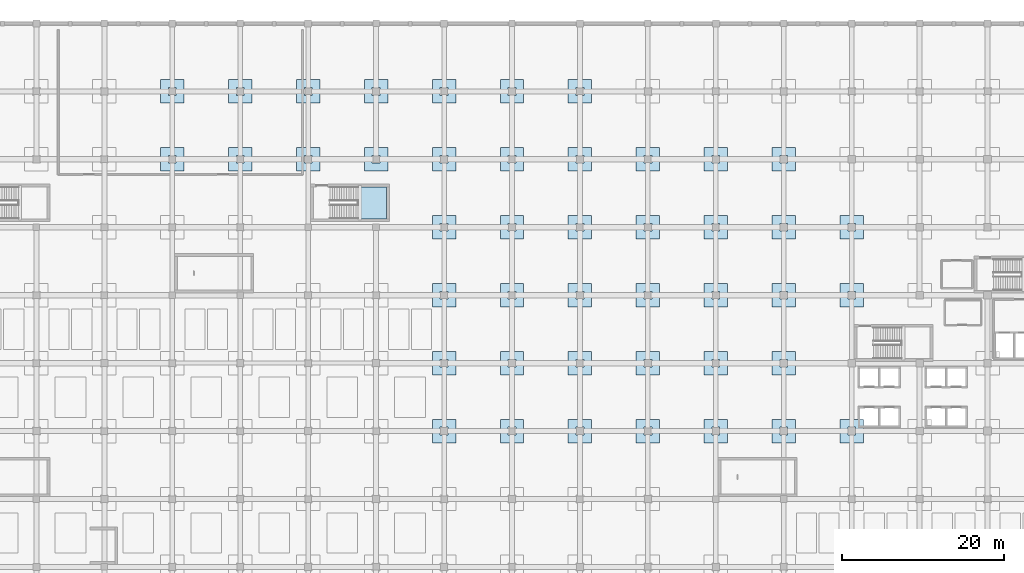
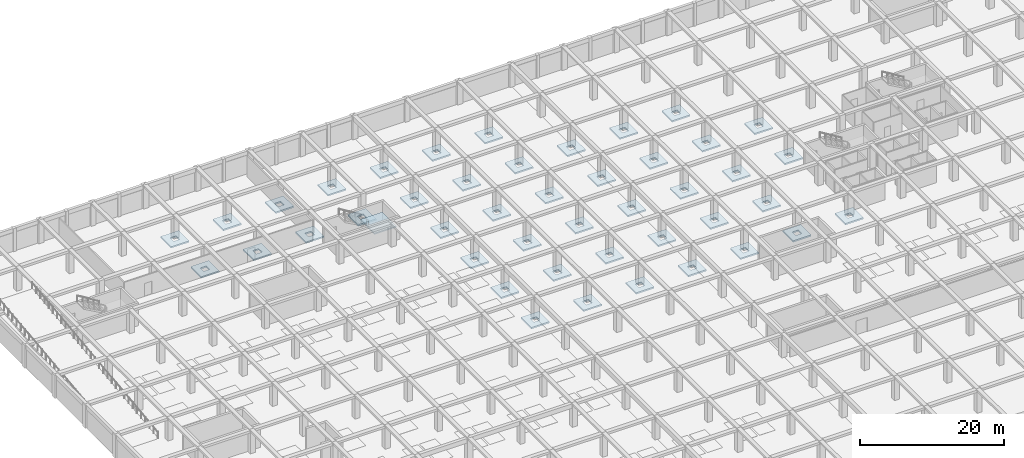
# One storey, part 12 of 32: 45 slabs, 1 element without a shape of its own.
"""IFC4 building model written with IfcOpenShell, lengths in metres."""

import ifcopenshell
import ifcopenshell.guid

model = None  # the IFC model being written
_history = None  # IfcOwnerHistory: only IFC2X3 demands one
_inside = {}  # id of a spatial element -> (the spatial element, [elements in it])
_under = {}  # id of a project, library or spatial element -> (it, [spatial elements below it])
_declared = {}  # id of a project -> (the project, [libraries it declares])
_typed = {}  # id of a type object -> (the type object, [elements of that type])
_made_of = {}  # id of a material, layer set ... -> (it, [elements and type objects made of it])


def new_model(schema):
    """Start an empty IFC model of exactly this schema.

    Asked for "IFC4X3", IfcOpenShell would pick the latest addendum, in which some entities
    have other attributes; the version numbers below select the first issue.
    IFC2X3 requires an IfcOwnerHistory on every rooted entity: one is made here for all.
    """
    global model, _history
    if schema == "IFC4X3":
        model = ifcopenshell.file(schema_version=(4, 3, 0, 0))
    else:
        model = ifcopenshell.file(schema=schema)
    _inside.clear()
    _under.clear()
    _declared.clear()
    _typed.clear()
    _made_of.clear()
    _history = None
    if model.schema == "IFC2X3":
        org = make("IfcOrganization", Name="unknown")
        user = make(
            "IfcPersonAndOrganization",
            ThePerson=make("IfcPerson", FamilyName="unknown"),
            TheOrganization=org,
        )
        app = make(
            "IfcApplication",
            ApplicationDeveloper=org,
            Version="unknown",
            ApplicationFullName="unknown",
            ApplicationIdentifier="unknown",
        )
        _history = make(
            "IfcOwnerHistory",
            OwningUser=user,
            OwningApplication=app,
            ChangeAction="ADDED",
            CreationDate=0,
        )
    return model


def make(cls, **values):
    """One entity of the class cls with the attributes given. An attribute that is None is left unset."""
    return model.create_entity(
        cls, **{name: value for name, value in values.items() if value is not None}
    )


def rooted(cls, **values):
    """An entity with a GlobalId (a new one), such as an element, a storey or a relation."""
    return make(cls, GlobalId=ifcopenshell.guid.new(), OwnerHistory=_history, **values)


def si_unit(unit_type, name, prefix=None):
    """IfcSIUnit, for example si_unit("LENGTHUNIT", "METRE", prefix="MILLI")."""
    return make("IfcSIUnit", UnitType=unit_type, Prefix=prefix, Name=name)


def assignment(units):
    """IfcUnitAssignment: the units of a project."""
    return None if units is None else make("IfcUnitAssignment", Units=units)


def point(xyz):
    """IfcCartesianPoint."""
    return None if xyz is None else make("IfcCartesianPoint", Coordinates=xyz)


def direction(xyz):
    """IfcDirection."""
    return None if xyz is None else make("IfcDirection", DirectionRatios=xyz)


def frame(location, z_axis=None, x_axis=None):
    """IfcAxis2Placement3D, a coordinate frame: its origin and axes. An axis left out is left unset."""
    return make(
        "IfcAxis2Placement3D",
        Location=point(location),
        Axis=direction(z_axis),
        RefDirection=direction(x_axis),
    )


def origin():
    """The frame at (0, 0, 0) with its axes left unset."""
    return frame((0.0, 0.0, 0.0))


def place(relative_to, where):
    """IfcLocalPlacement: puts the frame where relative to a parent placement (None: the world)."""
    return make(
        "IfcLocalPlacement", PlacementRelTo=relative_to, RelativePlacement=where
    )


def context(
    kind, dimensions, precision=None, world=None, true_north=None, identifier=None
):
    """IfcGeometricRepresentationContext, for example the 3D "Model" context."""
    return make(
        "IfcGeometricRepresentationContext",
        ContextIdentifier=identifier,
        ContextType=kind,
        CoordinateSpaceDimension=dimensions,
        Precision=precision,
        WorldCoordinateSystem=world,
        TrueNorth=true_north,
    )


def subcontext(parent, identifier, kind, view, scale=None):
    """IfcGeometricRepresentationSubContext, for example "Body" below "Model"."""
    return make(
        "IfcGeometricRepresentationSubContext",
        ContextIdentifier=identifier,
        ContextType=kind,
        ParentContext=parent,
        TargetScale=scale,
        TargetView=view,
    )


def project(units=None, contexts=None):
    """IfcProject with its units and contexts."""
    return rooted(
        "IfcProject",
        Name="project",
        RepresentationContexts=contexts,
        UnitsInContext=assignment(units),
    )


def spatial(cls, under=None, at=None, **own):
    """A site, building, storey or space (cls), placed at a placement, below another one or the project."""
    s = rooted(cls, ObjectPlacement=at, **own)
    if under is not None:
        _under.setdefault(under.id(), (under, []))[1].append(s)
    return s


def polyline(points):
    """IfcPolyline through the points."""
    return make("IfcPolyline", Points=[point(p) for p in points])


def outline(outer, holes=None, kind="AREA"):
    """IfcArbitraryClosedProfileDef: a profile drawn as a closed curve; with holes, ...WithVoids."""
    if holes is None:
        return make("IfcArbitraryClosedProfileDef", ProfileType=kind, OuterCurve=outer)
    return make(
        "IfcArbitraryProfileDefWithVoids",
        ProfileType=kind,
        OuterCurve=outer,
        InnerCurves=holes,
    )


def extrude(swept, where, along, depth):
    """IfcExtrudedAreaSolid: the profile swept, set in the frame where, extruded along a direction by depth."""
    return make(
        "IfcExtrudedAreaSolid",
        SweptArea=swept,
        Position=where,
        ExtrudedDirection=direction(along),
        Depth=depth,
    )


def shape(context_of_items, identifier, shape_type, items):
    """IfcShapeRepresentation: the items that make up one representation, for example the "Body"."""
    return make(
        "IfcShapeRepresentation",
        ContextOfItems=context_of_items,
        RepresentationIdentifier=identifier,
        RepresentationType=shape_type,
        Items=items,
    )


def material(Name=None, Category=None):
    """IfcMaterial."""
    return make("IfcMaterial", Name=Name, Category=Category)


def layer(
    of_material, thickness, ventilated=None, Name=None, Category=None, Priority=None
):
    """IfcMaterialLayer: one layer of a wall or slab, of a material (None: an air gap)."""
    return make(
        "IfcMaterialLayer",
        Material=of_material,
        LayerThickness=thickness,
        IsVentilated=ventilated,
        Name=Name,
        Category=Category,
        Priority=Priority,
    )


def layer_set(layers, Name=None):
    """IfcMaterialLayerSet."""
    return make("IfcMaterialLayerSet", MaterialLayers=layers, LayerSetName=Name)


def made_of(thing, what):
    """Note that an element or type object is made of a material, layer set ...; save() writes the relation."""
    if what is not None:
        _made_of.setdefault(what.id(), (what, []))[1].append(thing)
    return thing


def type_object(cls, material=None, **own):
    """A type object (cls), such as IfcWallType, which elements share."""
    return made_of(rooted(cls, **own), material)


def element(
    cls,
    number,
    at=None,
    inside=None,
    cuts=None,
    type_object=None,
    material=None,
    context=None,
    identifier="Body",
    shape_type=None,
    held_by="IfcProductDefinitionShape",
    body=None,
    shapes=None,
    **own,
):
    """One element of the class cls, such as IfcWall. Its Tag is "e" and its number.

    at: its placement. inside: the storey or other place that contains it. cuts: it is an
    opening in that element (IfcRelVoidsElement). A single representation is given by context,
    identifier, shape_type and body (its items); several are given by shapes. held_by: the class
    of the entity that holds the representations. save() writes the other relations.
    """
    e = rooted(cls, Tag="e%d" % number, ObjectPlacement=at, **own)
    if body is not None:
        shapes = [shape(context, identifier, shape_type, body)]
    if shapes is not None:
        e.Representation = make(held_by, Representations=shapes)
    if inside is not None:
        _inside.setdefault(inside.id(), (inside, []))[1].append(e)
    if cuts is not None:
        rooted(
            "IfcRelVoidsElement", RelatingBuildingElement=cuts, RelatedOpeningElement=e
        )
    if type_object is not None:
        _typed.setdefault(type_object.id(), (type_object, []))[1].append(e)
    return made_of(e, material)


def aggregate(whole, parts):
    """IfcRelAggregates: a whole, such as a stair, and the parts it consists of."""
    return rooted("IfcRelAggregates", RelatingObject=whole, RelatedObjects=parts)


def save(model, path):
    """Write the relations noted so far, then the file.

    IfcRelAggregates (storeys below a building ...), IfcRelContainedInSpatialStructure (elements
    in a storey), IfcRelDefinesByType, IfcRelAssociatesMaterial and IfcRelDeclares: one each for
    every whole, place, type object, material and project.
    """
    for whole, parts in _under.values():
        aggregate(whole, parts)
    for where, things in _inside.values():
        rooted(
            "IfcRelContainedInSpatialStructure",
            RelatedElements=things,
            RelatingStructure=where,
        )
    for kind, things in _typed.values():
        rooted("IfcRelDefinesByType", RelatedObjects=things, RelatingType=kind)
    for what, things in _made_of.values():
        rooted("IfcRelAssociatesMaterial", RelatedObjects=things, RelatingMaterial=what)
    for by, libraries in _declared.values():
        rooted("IfcRelDeclares", RelatingContext=by, RelatedDefinitions=libraries)
    model.write(path)


model = new_model("IFC4")

# Units and contexts
model_context = context("Model", 3, precision=1e-05, world=origin(), true_north=direction((0.0, 1.0)))
body_context = subcontext(model_context, "Body", "Model", "MODEL_VIEW")
ifc_project = project(units=[si_unit("LENGTHUNIT", "METRE"), si_unit("AREAUNIT", "SQUARE_METRE"), si_unit("VOLUMEUNIT", "CUBIC_METRE"), si_unit("PLANEANGLEUNIT", "RADIAN"), si_unit("MASSUNIT", "GRAM", prefix="KILO")], contexts=[model_context])

# Site, building, storey
site_placement = place(None, origin())
site = spatial("IfcSite", under=ifc_project, at=site_placement, CompositionType="ELEMENT")
building_placement = place(site_placement, origin())
building = spatial("IfcBuilding", under=site, at=building_placement, Name="Almacenes y Pasaje Nevantli", CompositionType="ELEMENT")
storey_placement = place(building_placement, frame((0.0, 0.0, -4.199951171875)))
storey = spatial("IfcBuildingStorey", under=building, at=storey_placement, Name="B01", CompositionType="ELEMENT", Elevation=-4.199951171875)

# Slabs
ifc_material_1 = material(Name="Concrete C35/45", Category="concrete")
ifc_layer_1 = layer(ifc_material_1, 0.25)
ifc_layer_set_1 = layer_set([ifc_layer_1], Name="Concrete C35/45")
slab_type_1 = type_object("IfcSlabType", Name="SLB-DP-250", PredefinedType="USERDEFINED", material=ifc_layer_set_1)
slab_1_placement = place(storey_placement, frame((0.0, 0.0, -0.550048828125)))
element("IfcSlab", 1, at=slab_1_placement, inside=storey, type_object=slab_type_1, Name="B01 Punching-Shear Drop Panel DP-02 #31", ObjectType="DROP PANEL", PredefinedType="USERDEFINED", context=body_context, shape_type="SweptSolid", body=[
    extrude(outline(polyline([(32.14990234375, 99.35009765625), (35.050048828125, 99.35009765625), (35.050048828125, 102.25), (32.14990234375, 102.25), (32.14990234375, 99.35009765625)]), holes=[polyline([(33.1201171875, 100.320068359375), (34.080078125, 100.320068359375), (34.080078125, 101.280029296875), (33.1201171875, 101.280029296875), (33.1201171875, 100.320068359375)])]), origin(), (0.0, 0.0, 1.0), 0.25),
])
slab_2_placement = place(storey_placement, frame((0.0, 0.0, -0.550048828125)))
element("IfcSlab", 2, at=slab_2_placement, inside=storey, type_object=slab_type_1, Name="B01 Punching-Shear Drop Panel DP-02 #32", ObjectType="DROP PANEL", PredefinedType="USERDEFINED", context=body_context, shape_type="SweptSolid", body=[
    extrude(outline(polyline([(32.14990234375, 107.75), (35.050048828125, 107.75), (35.050048828125, 110.64990234375), (32.14990234375, 110.64990234375), (32.14990234375, 107.75)]), holes=[polyline([(33.1201171875, 108.719970703125), (34.080078125, 108.719970703125), (34.080078125, 109.679931640625), (33.1201171875, 109.679931640625), (33.1201171875, 108.719970703125)])]), origin(), (0.0, 0.0, 1.0), 0.25),
])
slab_3_placement = place(storey_placement, frame((0.0, 0.0, -0.550048828125)))
element("IfcSlab", 3, at=slab_3_placement, inside=storey, type_object=slab_type_1, Name="B01 Punching-Shear Drop Panel DP-02 #42", ObjectType="DROP PANEL", PredefinedType="USERDEFINED", context=body_context, shape_type="SweptSolid", body=[
    extrude(outline(polyline([(40.550048828125, 99.35009765625), (43.449951171875, 99.35009765625), (43.449951171875, 102.25), (40.550048828125, 102.25), (40.550048828125, 99.35009765625)]), holes=[polyline([(41.52001953125, 100.320068359375), (42.47998046875, 100.320068359375), (42.47998046875, 101.280029296875), (41.52001953125, 101.280029296875), (41.52001953125, 100.320068359375)])]), origin(), (0.0, 0.0, 1.0), 0.25),
])
slab_4_placement = place(storey_placement, frame((0.0, 0.0, -0.550048828125)))
element("IfcSlab", 4, at=slab_4_placement, inside=storey, type_object=slab_type_1, Name="B01 Punching-Shear Drop Panel DP-02 #43", ObjectType="DROP PANEL", PredefinedType="USERDEFINED", context=body_context, shape_type="SweptSolid", body=[
    extrude(outline(polyline([(40.550048828125, 107.75), (43.449951171875, 107.75), (43.449951171875, 110.64990234375), (40.550048828125, 110.64990234375), (40.550048828125, 107.75)]), holes=[polyline([(41.52001953125, 108.719970703125), (42.47998046875, 108.719970703125), (42.47998046875, 109.679931640625), (41.52001953125, 109.679931640625), (41.52001953125, 108.719970703125)])]), origin(), (0.0, 0.0, 1.0), 0.25),
])
slab_5_placement = place(storey_placement, frame((0.0, 0.0, -0.550048828125)))
element("IfcSlab", 5, at=slab_5_placement, inside=storey, type_object=slab_type_1, Name="B01 Punching-Shear Drop Panel DP-02 #53", ObjectType="DROP PANEL", PredefinedType="USERDEFINED", context=body_context, shape_type="SweptSolid", body=[
    extrude(outline(polyline([(48.949951171875, 99.35009765625), (51.85009765625, 99.35009765625), (51.85009765625, 102.25), (48.949951171875, 102.25), (48.949951171875, 99.35009765625)]), holes=[polyline([(49.919921875, 100.320068359375), (50.8798828125, 100.320068359375), (50.8798828125, 101.280029296875), (49.919921875, 101.280029296875), (49.919921875, 100.320068359375)])]), origin(), (0.0, 0.0, 1.0), 0.25),
])
slab_6_placement = place(storey_placement, frame((0.0, 0.0, -0.550048828125)))
element("IfcSlab", 6, at=slab_6_placement, inside=storey, type_object=slab_type_1, Name="B01 Punching-Shear Drop Panel DP-02 #54", ObjectType="DROP PANEL", PredefinedType="USERDEFINED", context=body_context, shape_type="SweptSolid", body=[
    extrude(outline(polyline([(48.949951171875, 107.75), (51.85009765625, 107.75), (51.85009765625, 110.64990234375), (48.949951171875, 110.64990234375), (48.949951171875, 107.75)]), holes=[polyline([(49.919921875, 108.719970703125), (50.8798828125, 108.719970703125), (50.8798828125, 109.679931640625), (49.919921875, 109.679931640625), (49.919921875, 108.719970703125)])]), origin(), (0.0, 0.0, 1.0), 0.25),
])
slab_7_placement = place(storey_placement, frame((0.0, 0.0, -0.550048828125)))
element("IfcSlab", 7, at=slab_7_placement, inside=storey, type_object=slab_type_1, Name="B01 Punching-Shear Drop Panel DP-02 #65", ObjectType="DROP PANEL", PredefinedType="USERDEFINED", context=body_context, shape_type="SweptSolid", body=[
    extrude(outline(polyline([(57.35009765625, 99.35009765625), (60.25, 99.35009765625), (60.25, 102.25), (57.35009765625, 102.25), (57.35009765625, 99.35009765625)]), holes=[polyline([(58.320068359375, 100.320068359375), (59.280029296875, 100.320068359375), (59.280029296875, 101.280029296875), (58.320068359375, 101.280029296875), (58.320068359375, 100.320068359375)])]), origin(), (0.0, 0.0, 1.0), 0.25),
])
slab_8_placement = place(storey_placement, frame((0.0, 0.0, -0.550048828125)))
element("IfcSlab", 8, at=slab_8_placement, inside=storey, type_object=slab_type_1, Name="B01 Punching-Shear Drop Panel DP-02 #66", ObjectType="DROP PANEL", PredefinedType="USERDEFINED", context=body_context, shape_type="SweptSolid", body=[
    extrude(outline(polyline([(57.35009765625, 107.75), (60.25, 107.75), (60.25, 110.64990234375), (57.35009765625, 110.64990234375), (57.35009765625, 107.75)]), holes=[polyline([(58.320068359375, 108.719970703125), (59.280029296875, 108.719970703125), (59.280029296875, 109.679931640625), (58.320068359375, 109.679931640625), (58.320068359375, 108.719970703125)])]), origin(), (0.0, 0.0, 1.0), 0.25),
])
slab_9_placement = place(storey_placement, frame((0.0, 0.0, -0.550048828125)))
element("IfcSlab", 9, at=slab_9_placement, inside=storey, type_object=slab_type_1, Name="B01 Punching-Shear Drop Panel DP-02 #74", ObjectType="DROP PANEL", PredefinedType="USERDEFINED", context=body_context, shape_type="SweptSolid", body=[
    extrude(outline(polyline([(65.75, 65.75), (68.64990234375, 65.75), (68.64990234375, 68.64990234375), (65.75, 68.64990234375), (65.75, 65.75)]), holes=[polyline([(66.719970703125, 66.719970703125), (67.679931640625, 66.719970703125), (67.679931640625, 67.679931640625), (66.719970703125, 67.679931640625), (66.719970703125, 66.719970703125)])]), origin(), (0.0, 0.0, 1.0), 0.25),
])
slab_10_placement = place(storey_placement, frame((0.0, 0.0, -0.550048828125)))
element("IfcSlab", 10, at=slab_10_placement, inside=storey, type_object=slab_type_1, Name="B01 Punching-Shear Drop Panel DP-02 #75", ObjectType="DROP PANEL", PredefinedType="USERDEFINED", context=body_context, shape_type="SweptSolid", body=[
    extrude(outline(polyline([(65.75, 74.14990234375), (68.64990234375, 74.14990234375), (68.64990234375, 77.050048828125), (65.75, 77.050048828125), (65.75, 74.14990234375)]), holes=[polyline([(66.719970703125, 75.1201171875), (67.679931640625, 75.1201171875), (67.679931640625, 76.080078125), (66.719970703125, 76.080078125), (66.719970703125, 75.1201171875)])]), origin(), (0.0, 0.0, 1.0), 0.25),
])
slab_11_placement = place(storey_placement, frame((0.0, 0.0, -0.550048828125)))
element("IfcSlab", 11, at=slab_11_placement, inside=storey, type_object=slab_type_1, Name="B01 Punching-Shear Drop Panel DP-02 #76", ObjectType="DROP PANEL", PredefinedType="USERDEFINED", context=body_context, shape_type="SweptSolid", body=[
    extrude(outline(polyline([(65.75, 82.550048828125), (68.64990234375, 82.550048828125), (68.64990234375, 85.449951171875), (65.75, 85.449951171875), (65.75, 82.550048828125)]), holes=[polyline([(66.719970703125, 83.52001953125), (67.679931640625, 83.52001953125), (67.679931640625, 84.47998046875), (66.719970703125, 84.47998046875), (66.719970703125, 83.52001953125)])]), origin(), (0.0, 0.0, 1.0), 0.25),
])
slab_12_placement = place(storey_placement, frame((0.0, 0.0, -0.550048828125)))
element("IfcSlab", 12, at=slab_12_placement, inside=storey, type_object=slab_type_1, Name="B01 Punching-Shear Drop Panel DP-02 #77", ObjectType="DROP PANEL", PredefinedType="USERDEFINED", context=body_context, shape_type="SweptSolid", body=[
    extrude(outline(polyline([(65.75, 90.949951171875), (68.64990234375, 90.949951171875), (68.64990234375, 93.85009765625), (65.75, 93.85009765625), (65.75, 90.949951171875)]), holes=[polyline([(66.719970703125, 91.919921875), (67.679931640625, 91.919921875), (67.679931640625, 92.8798828125), (66.719970703125, 92.8798828125), (66.719970703125, 91.919921875)])]), origin(), (0.0, 0.0, 1.0), 0.25),
])
slab_13_placement = place(storey_placement, frame((0.0, 0.0, -0.550048828125)))
element("IfcSlab", 13, at=slab_13_placement, inside=storey, type_object=slab_type_1, Name="B01 Punching-Shear Drop Panel DP-02 #78", ObjectType="DROP PANEL", PredefinedType="USERDEFINED", context=body_context, shape_type="SweptSolid", body=[
    extrude(outline(polyline([(65.75, 99.35009765625), (68.64990234375, 99.35009765625), (68.64990234375, 102.25), (65.75, 102.25), (65.75, 99.35009765625)]), holes=[polyline([(66.719970703125, 100.320068359375), (67.679931640625, 100.320068359375), (67.679931640625, 101.280029296875), (66.719970703125, 101.280029296875), (66.719970703125, 100.320068359375)])]), origin(), (0.0, 0.0, 1.0), 0.25),
])
slab_14_placement = place(storey_placement, frame((0.0, 0.0, -0.550048828125)))
element("IfcSlab", 14, at=slab_14_placement, inside=storey, type_object=slab_type_1, Name="B01 Punching-Shear Drop Panel DP-02 #79", ObjectType="DROP PANEL", PredefinedType="USERDEFINED", context=body_context, shape_type="SweptSolid", body=[
    extrude(outline(polyline([(65.75, 107.75), (68.64990234375, 107.75), (68.64990234375, 110.64990234375), (65.75, 110.64990234375), (65.75, 107.75)]), holes=[polyline([(66.719970703125, 108.719970703125), (67.679931640625, 108.719970703125), (67.679931640625, 109.679931640625), (66.719970703125, 109.679931640625), (66.719970703125, 108.719970703125)])]), origin(), (0.0, 0.0, 1.0), 0.25),
])
slab_15_placement = place(storey_placement, frame((0.0, 0.0, -0.550048828125)))
element("IfcSlab", 15, at=slab_15_placement, inside=storey, type_object=slab_type_1, Name="B01 Punching-Shear Drop Panel DP-02 #87", ObjectType="DROP PANEL", PredefinedType="USERDEFINED", context=body_context, shape_type="SweptSolid", body=[
    extrude(outline(polyline([(74.14990234375, 65.75), (77.050048828125, 65.75), (77.050048828125, 68.64990234375), (74.14990234375, 68.64990234375), (74.14990234375, 65.75)]), holes=[polyline([(75.1201171875, 66.719970703125), (76.080078125, 66.719970703125), (76.080078125, 67.679931640625), (75.1201171875, 67.679931640625), (75.1201171875, 66.719970703125)])]), origin(), (0.0, 0.0, 1.0), 0.25),
])
slab_16_placement = place(storey_placement, frame((0.0, 0.0, -0.550048828125)))
element("IfcSlab", 16, at=slab_16_placement, inside=storey, type_object=slab_type_1, Name="B01 Punching-Shear Drop Panel DP-02 #88", ObjectType="DROP PANEL", PredefinedType="USERDEFINED", context=body_context, shape_type="SweptSolid", body=[
    extrude(outline(polyline([(74.14990234375, 74.14990234375), (77.050048828125, 74.14990234375), (77.050048828125, 77.050048828125), (74.14990234375, 77.050048828125), (74.14990234375, 74.14990234375)]), holes=[polyline([(75.1201171875, 75.1201171875), (76.080078125, 75.1201171875), (76.080078125, 76.080078125), (75.1201171875, 76.080078125), (75.1201171875, 75.1201171875)])]), origin(), (0.0, 0.0, 1.0), 0.25),
])
slab_17_placement = place(storey_placement, frame((0.0, 0.0, -0.550048828125)))
element("IfcSlab", 17, at=slab_17_placement, inside=storey, type_object=slab_type_1, Name="B01 Punching-Shear Drop Panel DP-02 #89", ObjectType="DROP PANEL", PredefinedType="USERDEFINED", context=body_context, shape_type="SweptSolid", body=[
    extrude(outline(polyline([(74.14990234375, 82.550048828125), (77.050048828125, 82.550048828125), (77.050048828125, 85.449951171875), (74.14990234375, 85.449951171875), (74.14990234375, 82.550048828125)]), holes=[polyline([(75.1201171875, 83.52001953125), (76.080078125, 83.52001953125), (76.080078125, 84.47998046875), (75.1201171875, 84.47998046875), (75.1201171875, 83.52001953125)])]), origin(), (0.0, 0.0, 1.0), 0.25),
])
slab_18_placement = place(storey_placement, frame((0.0, 0.0, -0.550048828125)))
element("IfcSlab", 18, at=slab_18_placement, inside=storey, type_object=slab_type_1, Name="B01 Punching-Shear Drop Panel DP-02 #90", ObjectType="DROP PANEL", PredefinedType="USERDEFINED", context=body_context, shape_type="SweptSolid", body=[
    extrude(outline(polyline([(74.14990234375, 90.949951171875), (77.050048828125, 90.949951171875), (77.050048828125, 93.85009765625), (74.14990234375, 93.85009765625), (74.14990234375, 90.949951171875)]), holes=[polyline([(75.1201171875, 91.919921875), (76.080078125, 91.919921875), (76.080078125, 92.8798828125), (75.1201171875, 92.8798828125), (75.1201171875, 91.919921875)])]), origin(), (0.0, 0.0, 1.0), 0.25),
])
slab_19_placement = place(storey_placement, frame((0.0, 0.0, -0.550048828125)))
element("IfcSlab", 19, at=slab_19_placement, inside=storey, type_object=slab_type_1, Name="B01 Punching-Shear Drop Panel DP-02 #91", ObjectType="DROP PANEL", PredefinedType="USERDEFINED", context=body_context, shape_type="SweptSolid", body=[
    extrude(outline(polyline([(74.14990234375, 99.35009765625), (77.050048828125, 99.35009765625), (77.050048828125, 102.25), (74.14990234375, 102.25), (74.14990234375, 99.35009765625)]), holes=[polyline([(75.1201171875, 100.320068359375), (76.080078125, 100.320068359375), (76.080078125, 101.280029296875), (75.1201171875, 101.280029296875), (75.1201171875, 100.320068359375)])]), origin(), (0.0, 0.0, 1.0), 0.25),
])
slab_20_placement = place(storey_placement, frame((0.0, 0.0, -0.550048828125)))
element("IfcSlab", 20, at=slab_20_placement, inside=storey, type_object=slab_type_1, Name="B01 Punching-Shear Drop Panel DP-02 #92", ObjectType="DROP PANEL", PredefinedType="USERDEFINED", context=body_context, shape_type="SweptSolid", body=[
    extrude(outline(polyline([(74.14990234375, 107.75), (77.050048828125, 107.75), (77.050048828125, 110.64990234375), (74.14990234375, 110.64990234375), (74.14990234375, 107.75)]), holes=[polyline([(75.1201171875, 108.719970703125), (76.080078125, 108.719970703125), (76.080078125, 109.679931640625), (75.1201171875, 109.679931640625), (75.1201171875, 108.719970703125)])]), origin(), (0.0, 0.0, 1.0), 0.25),
])
slab_21_placement = place(storey_placement, frame((0.0, 0.0, -0.550048828125)))
element("IfcSlab", 21, at=slab_21_placement, inside=storey, type_object=slab_type_1, Name="B01 Punching-Shear Drop Panel DP-02 #100", ObjectType="DROP PANEL", PredefinedType="USERDEFINED", context=body_context, shape_type="SweptSolid", body=[
    extrude(outline(polyline([(82.550048828125, 65.75), (85.449951171875, 65.75), (85.449951171875, 68.64990234375), (82.550048828125, 68.64990234375), (82.550048828125, 65.75)]), holes=[polyline([(83.52001953125, 66.719970703125), (84.47998046875, 66.719970703125), (84.47998046875, 67.679931640625), (83.52001953125, 67.679931640625), (83.52001953125, 66.719970703125)])]), origin(), (0.0, 0.0, 1.0), 0.25),
])
slab_22_placement = place(storey_placement, frame((0.0, 0.0, -0.550048828125)))
element("IfcSlab", 22, at=slab_22_placement, inside=storey, type_object=slab_type_1, Name="B01 Punching-Shear Drop Panel DP-02 #101", ObjectType="DROP PANEL", PredefinedType="USERDEFINED", context=body_context, shape_type="SweptSolid", body=[
    extrude(outline(polyline([(82.550048828125, 74.14990234375), (85.449951171875, 74.14990234375), (85.449951171875, 77.050048828125), (82.550048828125, 77.050048828125), (82.550048828125, 74.14990234375)]), holes=[polyline([(83.52001953125, 75.1201171875), (84.47998046875, 75.1201171875), (84.47998046875, 76.080078125), (83.52001953125, 76.080078125), (83.52001953125, 75.1201171875)])]), origin(), (0.0, 0.0, 1.0), 0.25),
])
slab_23_placement = place(storey_placement, frame((0.0, 0.0, -0.550048828125)))
element("IfcSlab", 23, at=slab_23_placement, inside=storey, type_object=slab_type_1, Name="B01 Punching-Shear Drop Panel DP-02 #102", ObjectType="DROP PANEL", PredefinedType="USERDEFINED", context=body_context, shape_type="SweptSolid", body=[
    extrude(outline(polyline([(82.550048828125, 82.550048828125), (85.449951171875, 82.550048828125), (85.449951171875, 85.449951171875), (82.550048828125, 85.449951171875), (82.550048828125, 82.550048828125)]), holes=[polyline([(83.52001953125, 83.52001953125), (84.47998046875, 83.52001953125), (84.47998046875, 84.47998046875), (83.52001953125, 84.47998046875), (83.52001953125, 83.52001953125)])]), origin(), (0.0, 0.0, 1.0), 0.25),
])
slab_24_placement = place(storey_placement, frame((0.0, 0.0, -0.550048828125)))
element("IfcSlab", 24, at=slab_24_placement, inside=storey, type_object=slab_type_1, Name="B01 Punching-Shear Drop Panel DP-02 #103", ObjectType="DROP PANEL", PredefinedType="USERDEFINED", context=body_context, shape_type="SweptSolid", body=[
    extrude(outline(polyline([(82.550048828125, 90.949951171875), (85.449951171875, 90.949951171875), (85.449951171875, 93.85009765625), (82.550048828125, 93.85009765625), (82.550048828125, 90.949951171875)]), holes=[polyline([(83.52001953125, 91.919921875), (84.47998046875, 91.919921875), (84.47998046875, 92.8798828125), (83.52001953125, 92.8798828125), (83.52001953125, 91.919921875)])]), origin(), (0.0, 0.0, 1.0), 0.25),
])
slab_25_placement = place(storey_placement, frame((0.0, 0.0, -0.550048828125)))
element("IfcSlab", 25, at=slab_25_placement, inside=storey, type_object=slab_type_1, Name="B01 Punching-Shear Drop Panel DP-02 #104", ObjectType="DROP PANEL", PredefinedType="USERDEFINED", context=body_context, shape_type="SweptSolid", body=[
    extrude(outline(polyline([(82.550048828125, 99.35009765625), (85.449951171875, 99.35009765625), (85.449951171875, 102.25), (82.550048828125, 102.25), (82.550048828125, 99.35009765625)]), holes=[polyline([(83.52001953125, 100.320068359375), (84.47998046875, 100.320068359375), (84.47998046875, 101.280029296875), (83.52001953125, 101.280029296875), (83.52001953125, 100.320068359375)])]), origin(), (0.0, 0.0, 1.0), 0.25),
])
slab_26_placement = place(storey_placement, frame((0.0, 0.0, -0.550048828125)))
element("IfcSlab", 26, at=slab_26_placement, inside=storey, type_object=slab_type_1, Name="B01 Punching-Shear Drop Panel DP-02 #105", ObjectType="DROP PANEL", PredefinedType="USERDEFINED", context=body_context, shape_type="SweptSolid", body=[
    extrude(outline(polyline([(82.550048828125, 107.75), (85.449951171875, 107.75), (85.449951171875, 110.64990234375), (82.550048828125, 110.64990234375), (82.550048828125, 107.75)]), holes=[polyline([(83.52001953125, 108.719970703125), (84.47998046875, 108.719970703125), (84.47998046875, 109.679931640625), (83.52001953125, 109.679931640625), (83.52001953125, 108.719970703125)])]), origin(), (0.0, 0.0, 1.0), 0.25),
])
slab_27_placement = place(storey_placement, frame((0.0, 0.0, -0.550048828125)))
element("IfcSlab", 27, at=slab_27_placement, inside=storey, type_object=slab_type_1, Name="B01 Punching-Shear Drop Panel DP-02 #112", ObjectType="DROP PANEL", PredefinedType="USERDEFINED", context=body_context, shape_type="SweptSolid", body=[
    extrude(outline(polyline([(90.949951171875, 65.75), (93.85009765625, 65.75), (93.85009765625, 68.64990234375), (90.949951171875, 68.64990234375), (90.949951171875, 65.75)]), holes=[polyline([(91.919921875, 66.719970703125), (92.8798828125, 66.719970703125), (92.8798828125, 67.679931640625), (91.919921875, 67.679931640625), (91.919921875, 66.719970703125)])]), origin(), (0.0, 0.0, 1.0), 0.25),
])
slab_28_placement = place(storey_placement, frame((0.0, 0.0, -0.550048828125)))
element("IfcSlab", 28, at=slab_28_placement, inside=storey, type_object=slab_type_1, Name="B01 Punching-Shear Drop Panel DP-02 #113", ObjectType="DROP PANEL", PredefinedType="USERDEFINED", context=body_context, shape_type="SweptSolid", body=[
    extrude(outline(polyline([(90.949951171875, 74.14990234375), (93.85009765625, 74.14990234375), (93.85009765625, 77.050048828125), (90.949951171875, 77.050048828125), (90.949951171875, 74.14990234375)]), holes=[polyline([(91.919921875, 75.1201171875), (92.8798828125, 75.1201171875), (92.8798828125, 76.080078125), (91.919921875, 76.080078125), (91.919921875, 75.1201171875)])]), origin(), (0.0, 0.0, 1.0), 0.25),
])
slab_29_placement = place(storey_placement, frame((0.0, 0.0, -0.550048828125)))
element("IfcSlab", 29, at=slab_29_placement, inside=storey, type_object=slab_type_1, Name="B01 Punching-Shear Drop Panel DP-02 #114", ObjectType="DROP PANEL", PredefinedType="USERDEFINED", context=body_context, shape_type="SweptSolid", body=[
    extrude(outline(polyline([(90.949951171875, 82.550048828125), (93.85009765625, 82.550048828125), (93.85009765625, 85.449951171875), (90.949951171875, 85.449951171875), (90.949951171875, 82.550048828125)]), holes=[polyline([(91.919921875, 83.52001953125), (92.8798828125, 83.52001953125), (92.8798828125, 84.47998046875), (91.919921875, 84.47998046875), (91.919921875, 83.52001953125)])]), origin(), (0.0, 0.0, 1.0), 0.25),
])
slab_30_placement = place(storey_placement, frame((0.0, 0.0, -0.550048828125)))
element("IfcSlab", 30, at=slab_30_placement, inside=storey, type_object=slab_type_1, Name="B01 Punching-Shear Drop Panel DP-02 #115", ObjectType="DROP PANEL", PredefinedType="USERDEFINED", context=body_context, shape_type="SweptSolid", body=[
    extrude(outline(polyline([(90.949951171875, 90.949951171875), (93.85009765625, 90.949951171875), (93.85009765625, 93.85009765625), (90.949951171875, 93.85009765625), (90.949951171875, 90.949951171875)]), holes=[polyline([(91.919921875, 91.919921875), (92.8798828125, 91.919921875), (92.8798828125, 92.8798828125), (91.919921875, 92.8798828125), (91.919921875, 91.919921875)])]), origin(), (0.0, 0.0, 1.0), 0.25),
])
slab_31_placement = place(storey_placement, frame((0.0, 0.0, -0.550048828125)))
element("IfcSlab", 31, at=slab_31_placement, inside=storey, type_object=slab_type_1, Name="B01 Punching-Shear Drop Panel DP-02 #116", ObjectType="DROP PANEL", PredefinedType="USERDEFINED", context=body_context, shape_type="SweptSolid", body=[
    extrude(outline(polyline([(90.949951171875, 99.35009765625), (93.85009765625, 99.35009765625), (93.85009765625, 102.25), (90.949951171875, 102.25), (90.949951171875, 99.35009765625)]), holes=[polyline([(91.919921875, 100.320068359375), (92.8798828125, 100.320068359375), (92.8798828125, 101.280029296875), (91.919921875, 101.280029296875), (91.919921875, 100.320068359375)])]), origin(), (0.0, 0.0, 1.0), 0.25),
])
slab_32_placement = place(storey_placement, frame((0.0, 0.0, -0.550048828125)))
element("IfcSlab", 32, at=slab_32_placement, inside=storey, type_object=slab_type_1, Name="B01 Punching-Shear Drop Panel DP-02 #123", ObjectType="DROP PANEL", PredefinedType="USERDEFINED", context=body_context, shape_type="SweptSolid", body=[
    extrude(outline(polyline([(99.35009765625, 65.75), (102.25, 65.75), (102.25, 68.64990234375), (99.35009765625, 68.64990234375), (99.35009765625, 65.75)]), holes=[polyline([(100.320068359375, 66.719970703125), (101.280029296875, 66.719970703125), (101.280029296875, 67.679931640625), (100.320068359375, 67.679931640625), (100.320068359375, 66.719970703125)])]), origin(), (0.0, 0.0, 1.0), 0.25),
])
slab_33_placement = place(storey_placement, frame((0.0, 0.0, -0.550048828125)))
element("IfcSlab", 33, at=slab_33_placement, inside=storey, type_object=slab_type_1, Name="B01 Punching-Shear Drop Panel DP-02 #124", ObjectType="DROP PANEL", PredefinedType="USERDEFINED", context=body_context, shape_type="SweptSolid", body=[
    extrude(outline(polyline([(99.35009765625, 74.14990234375), (102.25, 74.14990234375), (102.25, 77.050048828125), (99.35009765625, 77.050048828125), (99.35009765625, 74.14990234375)]), holes=[polyline([(100.320068359375, 75.1201171875), (101.280029296875, 75.1201171875), (101.280029296875, 76.080078125), (100.320068359375, 76.080078125), (100.320068359375, 75.1201171875)])]), origin(), (0.0, 0.0, 1.0), 0.25),
])
slab_34_placement = place(storey_placement, frame((0.0, 0.0, -0.550048828125)))
element("IfcSlab", 34, at=slab_34_placement, inside=storey, type_object=slab_type_1, Name="B01 Punching-Shear Drop Panel DP-02 #125", ObjectType="DROP PANEL", PredefinedType="USERDEFINED", context=body_context, shape_type="SweptSolid", body=[
    extrude(outline(polyline([(99.35009765625, 82.550048828125), (102.25, 82.550048828125), (102.25, 85.449951171875), (99.35009765625, 85.449951171875), (99.35009765625, 82.550048828125)]), holes=[polyline([(100.320068359375, 83.52001953125), (101.280029296875, 83.52001953125), (101.280029296875, 84.47998046875), (100.320068359375, 84.47998046875), (100.320068359375, 83.52001953125)])]), origin(), (0.0, 0.0, 1.0), 0.25),
])
slab_35_placement = place(storey_placement, frame((0.0, 0.0, -0.550048828125)))
element("IfcSlab", 35, at=slab_35_placement, inside=storey, type_object=slab_type_1, Name="B01 Punching-Shear Drop Panel DP-02 #126", ObjectType="DROP PANEL", PredefinedType="USERDEFINED", context=body_context, shape_type="SweptSolid", body=[
    extrude(outline(polyline([(99.35009765625, 90.949951171875), (102.25, 90.949951171875), (102.25, 93.85009765625), (99.35009765625, 93.85009765625), (99.35009765625, 90.949951171875)]), holes=[polyline([(100.320068359375, 91.919921875), (101.280029296875, 91.919921875), (101.280029296875, 92.8798828125), (100.320068359375, 92.8798828125), (100.320068359375, 91.919921875)])]), origin(), (0.0, 0.0, 1.0), 0.25),
])
slab_36_placement = place(storey_placement, frame((0.0, 0.0, -0.550048828125)))
element("IfcSlab", 36, at=slab_36_placement, inside=storey, type_object=slab_type_1, Name="B01 Punching-Shear Drop Panel DP-02 #127", ObjectType="DROP PANEL", PredefinedType="USERDEFINED", context=body_context, shape_type="SweptSolid", body=[
    extrude(outline(polyline([(99.35009765625, 99.35009765625), (102.25, 99.35009765625), (102.25, 102.25), (99.35009765625, 102.25), (99.35009765625, 99.35009765625)]), holes=[polyline([(100.320068359375, 100.320068359375), (101.280029296875, 100.320068359375), (101.280029296875, 101.280029296875), (100.320068359375, 101.280029296875), (100.320068359375, 100.320068359375)])]), origin(), (0.0, 0.0, 1.0), 0.25),
])
slab_37_placement = place(storey_placement, frame((0.0, 0.0, -0.550048828125)))
element("IfcSlab", 37, at=slab_37_placement, inside=storey, type_object=slab_type_1, Name="B01 Punching-Shear Drop Panel DP-02 #135", ObjectType="DROP PANEL", PredefinedType="USERDEFINED", context=body_context, shape_type="SweptSolid", body=[
    extrude(outline(polyline([(107.75, 65.75), (110.64990234375, 65.75), (110.64990234375, 68.64990234375), (107.75, 68.64990234375), (107.75, 65.75)]), holes=[polyline([(108.719970703125, 66.719970703125), (109.679931640625, 66.719970703125), (109.679931640625, 67.679931640625), (108.719970703125, 67.679931640625), (108.719970703125, 66.719970703125)])]), origin(), (0.0, 0.0, 1.0), 0.25),
])
slab_38_placement = place(storey_placement, frame((0.0, 0.0, -0.550048828125)))
element("IfcSlab", 38, at=slab_38_placement, inside=storey, type_object=slab_type_1, Name="B01 Punching-Shear Drop Panel DP-02 #136", ObjectType="DROP PANEL", PredefinedType="USERDEFINED", context=body_context, shape_type="SweptSolid", body=[
    extrude(outline(polyline([(107.75, 74.14990234375), (110.64990234375, 74.14990234375), (110.64990234375, 77.050048828125), (107.75, 77.050048828125), (107.75, 74.14990234375)]), holes=[polyline([(108.719970703125, 75.1201171875), (109.679931640625, 75.1201171875), (109.679931640625, 76.080078125), (108.719970703125, 76.080078125), (108.719970703125, 75.1201171875)])]), origin(), (0.0, 0.0, 1.0), 0.25),
])
slab_39_placement = place(storey_placement, frame((0.0, 0.0, -0.550048828125)))
element("IfcSlab", 39, at=slab_39_placement, inside=storey, type_object=slab_type_1, Name="B01 Punching-Shear Drop Panel DP-02 #137", ObjectType="DROP PANEL", PredefinedType="USERDEFINED", context=body_context, shape_type="SweptSolid", body=[
    extrude(outline(polyline([(107.75, 82.550048828125), (110.64990234375, 82.550048828125), (110.64990234375, 85.449951171875), (107.75, 85.449951171875), (107.75, 82.550048828125)]), holes=[polyline([(108.719970703125, 83.52001953125), (109.679931640625, 83.52001953125), (109.679931640625, 84.47998046875), (108.719970703125, 84.47998046875), (108.719970703125, 83.52001953125)])]), origin(), (0.0, 0.0, 1.0), 0.25),
])
slab_40_placement = place(storey_placement, frame((0.0, 0.0, -0.550048828125)))
element("IfcSlab", 40, at=slab_40_placement, inside=storey, type_object=slab_type_1, Name="B01 Punching-Shear Drop Panel DP-02 #138", ObjectType="DROP PANEL", PredefinedType="USERDEFINED", context=body_context, shape_type="SweptSolid", body=[
    extrude(outline(polyline([(107.75, 90.949951171875), (110.64990234375, 90.949951171875), (110.64990234375, 93.85009765625), (107.75, 93.85009765625), (107.75, 90.949951171875)]), holes=[polyline([(108.719970703125, 91.919921875), (109.679931640625, 91.919921875), (109.679931640625, 92.8798828125), (108.719970703125, 92.8798828125), (108.719970703125, 91.919921875)])]), origin(), (0.0, 0.0, 1.0), 0.25),
])
slab_41_placement = place(storey_placement, frame((0.0, 0.0, -0.550048828125)))
element("IfcSlab", 41, at=slab_41_placement, inside=storey, type_object=slab_type_1, Name="B01 Punching-Shear Drop Panel DP-02 #139", ObjectType="DROP PANEL", PredefinedType="USERDEFINED", context=body_context, shape_type="SweptSolid", body=[
    extrude(outline(polyline([(107.75, 99.35009765625), (110.64990234375, 99.35009765625), (110.64990234375, 102.25), (107.75, 102.25), (107.75, 99.35009765625)]), holes=[polyline([(108.719970703125, 100.320068359375), (109.679931640625, 100.320068359375), (109.679931640625, 101.280029296875), (108.719970703125, 101.280029296875), (108.719970703125, 100.320068359375)])]), origin(), (0.0, 0.0, 1.0), 0.25),
])
slab_42_placement = place(storey_placement, frame((0.0, 0.0, -0.550048828125)))
element("IfcSlab", 42, at=slab_42_placement, inside=storey, type_object=slab_type_1, Name="B01 Punching-Shear Drop Panel DP-02 #148", ObjectType="DROP PANEL", PredefinedType="USERDEFINED", context=body_context, shape_type="SweptSolid", body=[
    extrude(outline(polyline([(116.14990234375, 65.75), (119.050048828125, 65.75), (119.050048828125, 68.64990234375), (116.14990234375, 68.64990234375), (116.14990234375, 65.75)]), holes=[polyline([(117.1201171875, 66.719970703125), (118.080078125, 66.719970703125), (118.080078125, 67.679931640625), (117.1201171875, 67.679931640625), (117.1201171875, 66.719970703125)])]), origin(), (0.0, 0.0, 1.0), 0.25),
])
slab_43_placement = place(storey_placement, frame((0.0, 0.0, -0.550048828125)))
element("IfcSlab", 43, at=slab_43_placement, inside=storey, type_object=slab_type_1, Name="B01 Punching-Shear Drop Panel DP-02 #149", ObjectType="DROP PANEL", PredefinedType="USERDEFINED", context=body_context, shape_type="SweptSolid", body=[
    extrude(outline(polyline([(116.14990234375, 82.550048828125), (119.050048828125, 82.550048828125), (119.050048828125, 85.449951171875), (116.14990234375, 85.449951171875), (116.14990234375, 82.550048828125)]), holes=[polyline([(117.1201171875, 83.52001953125), (118.080078125, 83.52001953125), (118.080078125, 84.47998046875), (117.1201171875, 84.47998046875), (117.1201171875, 83.52001953125)])]), origin(), (0.0, 0.0, 1.0), 0.25),
])
slab_44_placement = place(storey_placement, frame((0.0, 0.0, -0.550048828125)))
element("IfcSlab", 44, at=slab_44_placement, inside=storey, type_object=slab_type_1, Name="B01 Punching-Shear Drop Panel DP-02 #150", ObjectType="DROP PANEL", PredefinedType="USERDEFINED", context=body_context, shape_type="SweptSolid", body=[
    extrude(outline(polyline([(116.14990234375, 90.949951171875), (119.050048828125, 90.949951171875), (119.050048828125, 93.85009765625), (116.14990234375, 93.85009765625), (116.14990234375, 90.949951171875)]), holes=[polyline([(117.1201171875, 91.919921875), (118.080078125, 91.919921875), (118.080078125, 92.8798828125), (117.1201171875, 92.8798828125), (117.1201171875, 91.919921875)])]), origin(), (0.0, 0.0, 1.0), 0.25),
])

# Stair, slab
ifc_material_2 = material(Name="Concrete C35/45", Category="concrete")
stair_type = type_object("IfcStairType", Name="STR-CORE-1750", PredefinedType="HALF_TURN_STAIR", material=ifc_material_2)
stair_placement = place(storey_placement, origin())
stair = element("IfcStair", 45, at=stair_placement, inside=storey, type_object=stair_type, Name="B01 Staircase ST-05", PredefinedType="HALF_TURN_STAIR")
ifc_material_3 = material(Name="Concrete C35/45", Category="concrete")
ifc_layer_2 = layer(ifc_material_3, 0.199951171875)
ifc_layer_set_2 = layer_set([ifc_layer_2], Name="Concrete C35/45")
slab_type_2 = type_object("IfcSlabType", Name="SLB-LAND-200", PredefinedType="LANDING", material=ifc_layer_set_2)
slab_45_placement = place(storey_placement, frame((0.0, 0.0, 1.89990234375)))
slab_45 = element("IfcSlab", 46, at=slab_45_placement, type_object=slab_type_2, Name="ST-05-B01 landing 1", PredefinedType="LANDING", context=body_context, shape_type="SweptSolid", body=[
    extrude(outline(polyline([(56.56494140625, 93.449951171875), (60.10009765625, 93.449951171875), (60.10009765625, 97.39990234375), (56.56494140625, 97.39990234375), (56.56494140625, 93.449951171875)])), origin(), (0.0, 0.0, 1.0), 0.199951171875),
])
aggregate(stair, [slab_45])

save(model, "model.ifc")
